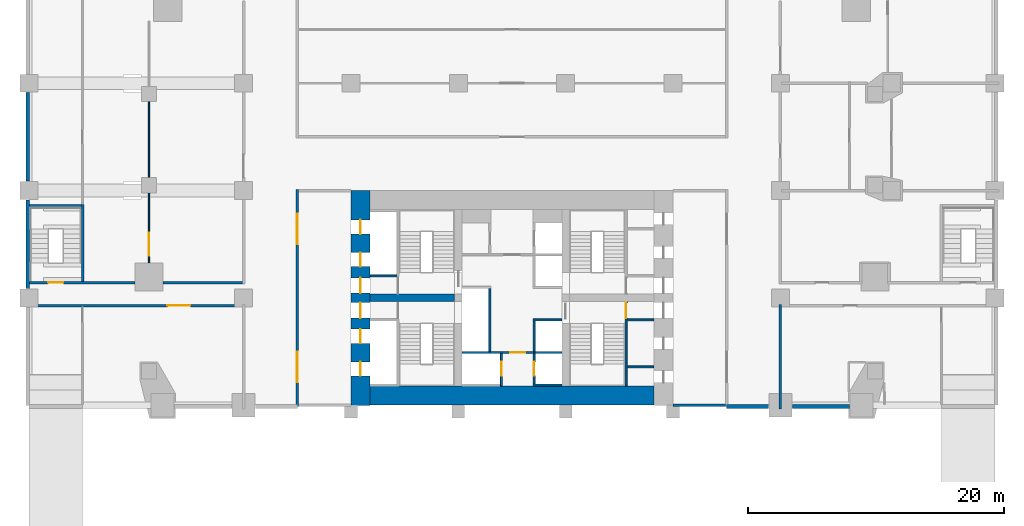
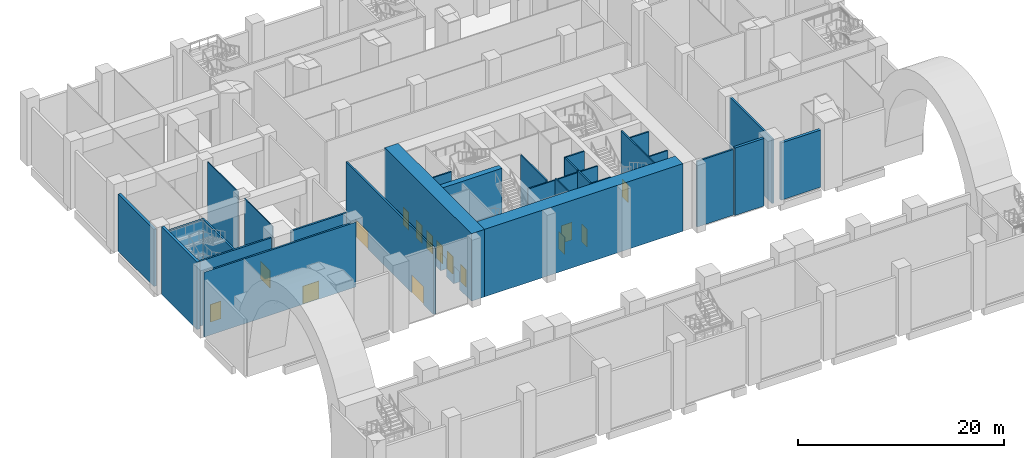
# One storey, part 6 of 19: 28 walls, 15 doors, 15 openings.
"""IFC4 building model written with IfcOpenShell, lengths in metres."""

from ifc_helpers import new_model, si_unit, direction, frame, frame_2d, origin, place, context, subcontext, project, spatial, rectangle, extrude, material, layer, layer_set, type_object, element, fill, save


model = new_model("IFC4")

# Units and contexts
model_context = context("Model", 3, precision=1e-05, world=origin(), true_north=direction((0.0, 1.0)))
body_context = subcontext(model_context, "Body", "Model", "MODEL_VIEW")
ifc_project = project(units=[si_unit("LENGTHUNIT", "METRE"), si_unit("AREAUNIT", "SQUARE_METRE"), si_unit("VOLUMEUNIT", "CUBIC_METRE"), si_unit("PLANEANGLEUNIT", "RADIAN"), si_unit("MASSUNIT", "GRAM", prefix="KILO")], contexts=[model_context])

# Site, building, storey
site_placement = place(None, origin())
site = spatial("IfcSite", under=ifc_project, at=site_placement, CompositionType="ELEMENT")
building_placement = place(site_placement, origin())
building = spatial("IfcBuilding", under=site, at=building_placement, Name="Marenta Gate Hotel Tower", CompositionType="ELEMENT")
storey_placement = place(building_placement, frame((0.0, 0.0, 13.0)))
storey = spatial("IfcBuildingStorey", under=building, at=storey_placement, Name="L02", CompositionType="ELEMENT", Elevation=13.0)

# Walls
ifc_material_1 = material(Name="Concrete C40 board-marked", Category="concrete")
ifc_layer_1 = layer(ifc_material_1, 0.300048828125)
ifc_layer_set_1 = layer_set([ifc_layer_1], Name="Concrete C40 board-marked")
wall_type_1 = type_object("IfcWallType", Name="Board-marked concrete wall 300 mm", PredefinedType="NOTDEFINED", material=ifc_layer_set_1)
wall_1_placement = place(storey_placement, frame((16.800048828125, -0.090087890625, 0.0), z_axis=(0.0, 0.0, 1.0), x_axis=(1.0, 0.0, 0.0)))
element("IfcWall", 1, at=wall_1_placement, inside=storey, type_object=wall_type_1, Name="L02-CLD-NB-S100", PredefinedType="NOTDEFINED", context=body_context, shape_type="SweptSolid", body=[
    extrude(rectangle(XDim=3.260009765625, YDim=0.300048828125, at=frame_2d((1.6298828125, 0.0))), origin(), (0.0, 0.0, 1.0), 8.0),
])
wall_2_placement = place(storey_placement, frame((21.93994140625, -0.090087890625, 0.0), z_axis=(0.0, 0.0, 1.0), x_axis=(1.0, 0.0, 0.0)))
element("IfcWall", 2, at=wall_2_placement, inside=storey, type_object=wall_type_1, Name="L02-CLD-NB-S101", PredefinedType="NOTDEFINED", context=body_context, shape_type="SweptSolid", body=[
    extrude(rectangle(XDim=4.483154296875, YDim=0.300048828125, at=frame_2d((2.24169921875, 0.0))), origin(), (0.0, 0.0, 1.0), 6.780029296875),
])
wall_3_placement = place(storey_placement, frame((-37.889892578125, 24.4599609375, 0.0), z_axis=(0.0, 0.0, 1.0), x_axis=(0.0, -1.0, 0.0)))
element("IfcWall", 3, at=wall_3_placement, inside=storey, type_object=wall_type_1, Name="L02-CLD-NB-W002", PredefinedType="NOTDEFINED", context=body_context, shape_type="SweptSolid", body=[
    extrude(rectangle(XDim=6.919921875, YDim=0.300048828125, at=frame_2d((3.4599609375, 0.0))), origin(), (0.0, 0.0, 1.0), 6.780029296875),
])
wall_4_placement = place(storey_placement, frame((-37.889892578125, 16.06005859375, 0.0), z_axis=(0.0, 0.0, 1.0), x_axis=(0.0, -1.0, 0.0)))
element("IfcWall", 4, at=wall_4_placement, inside=storey, type_object=wall_type_1, Name="L02-CLD-NB-W003", PredefinedType="NOTDEFINED", context=body_context, shape_type="SweptSolid", body=[
    extrude(rectangle(XDim=6.920166015625, YDim=0.300048828125, at=frame_2d((3.4599609375, 0.0))), origin(), (0.0, 0.0, 1.0), 8.0),
])

# Wall, openings, doors
ifc_material_2 = material(Name="Concrete blockwork", Category="masonry")
ifc_layer_2 = layer(ifc_material_2, 0.199951171875)
ifc_layer_set_2 = layer_set([ifc_layer_2], Name="Concrete blockwork")
wall_type_2 = type_object("IfcWallType", Name="Core boundary wall 200 REI 180", PredefinedType="PARTITIONING", material=ifc_layer_set_2)
wall_5_placement = place(storey_placement, frame((-16.800048828125, -0.10009765625, 0.0), z_axis=(0.0, 0.0, 1.0), x_axis=(0.0, 1.0, 0.0)))
wall_5 = element("IfcWall", 5, at=wall_5_placement, inside=storey, type_object=wall_type_2, Name="L02-CP-BW-W", PredefinedType="PARTITIONING", context=body_context, shape_type="SweptSolid", body=[
    extrude(rectangle(XDim=17.0, YDim=0.199951171875, at=frame_2d((8.5, 0.0))), origin(), (0.0, 0.0, 1.0), 7.780029296875),
])
opening_1_placement = place(wall_5_placement, frame((1.89990234375, 0.0, 0.0)))
opening_1 = element("IfcOpeningElement", 6, at=opening_1_placement, cuts=wall_5, Name="Opening ED-Wa-A", PredefinedType="OPENING", context=body_context, shape_type="SweptSolid", body=[
    extrude(rectangle(XDim=2.39990234375, YDim=2.10009765625, at=frame_2d((1.199951171875, 1.050048828125))), frame((0.0, 0.10009765625, 0.0), z_axis=(0.0, -1.0, 0.0), x_axis=(1.0, 0.0, 0.0)), (0.0, 0.0, 1.0), 0.199951171875),
])
opening_2_placement = place(wall_5_placement, frame((12.699951171875, 0.0, 0.0)))
opening_2 = element("IfcOpeningElement", 7, at=opening_2_placement, cuts=wall_5, Name="Opening ED-Wb-A", PredefinedType="OPENING", context=body_context, shape_type="SweptSolid", body=[
    extrude(rectangle(XDim=2.39990234375, YDim=2.10009765625, at=frame_2d((1.199951171875, 1.050048828125))), frame((0.0, 0.10009765625, 0.0), z_axis=(0.0, -1.0, 0.0), x_axis=(1.0, 0.0, 0.0)), (0.0, 0.0, 1.0), 0.199951171875),
])
ifc_material_3 = material(Name="Steel", Category="steel")
door_type_1 = type_object("IfcDoorType", Name="Core lobby entrance door 2400x2100 EI 60", OperationType="DOUBLE_DOOR_SINGLE_SWING", PredefinedType="DOOR", material=ifc_material_3)
door_1_placement = place(opening_1_placement, origin())
door_1 = element("IfcDoor", 8, at=door_1_placement, inside=storey, type_object=door_type_1, Name="ED-Wa-A", OperationType="DOUBLE_DOOR_SINGLE_SWING", OverallHeight=2.10009765625, OverallWidth=2.39990234375, PredefinedType="DOOR", context=body_context, shape_type="SweptSolid", body=[
    extrude(rectangle(XDim=2.39990234375, YDim=2.10009765625, at=frame_2d((1.199951171875, 1.050048828125))), frame((0.0, 0.02490234375, 0.0), z_axis=(0.0, -1.0, 0.0), x_axis=(1.0, 0.0, 0.0)), (0.0, 0.0, 1.0), 0.050048828125),
])
fill(opening_1, door_1)
door_2_placement = place(opening_2_placement, origin())
door_2 = element("IfcDoor", 9, at=door_2_placement, inside=storey, type_object=door_type_1, Name="ED-Wb-A", OperationType="DOUBLE_DOOR_SINGLE_SWING", OverallHeight=2.10009765625, OverallWidth=2.39990234375, PredefinedType="DOOR", context=body_context, shape_type="SweptSolid", body=[
    extrude(rectangle(XDim=2.39990234375, YDim=2.10009765625, at=frame_2d((1.199951171875, 1.050048828125))), frame((0.0, 0.02490234375, 0.0), z_axis=(0.0, -1.0, 0.0), x_axis=(1.0, 0.0, 0.0)), (0.0, 0.0, 1.0), 0.050048828125),
])
fill(opening_2, door_2)

# Wall
wall_6_placement = place(storey_placement, frame((12.60009765625, 0.0, 0.0), z_axis=(0.0, 0.0, 1.0), x_axis=(1.0, 0.0, 0.0)))
element("IfcWall", 10, at=wall_6_placement, inside=storey, type_object=wall_type_2, Name="L02-CP-EW-ES", PredefinedType="PARTITIONING", context=body_context, shape_type="SweptSolid", body=[
    extrude(rectangle(XDim=4.099853515625, YDim=0.199951171875, at=frame_2d((2.0498046875, 0.0))), origin(), (0.0, 0.0, 1.0), 7.780029296875),
])

# Wall, opening, door
ifc_material_4 = material(Name="Concrete blockwork", Category="masonry")
ifc_layer_3 = layer(ifc_material_4, 0.14990234375)
ifc_layer_set_3 = layer_set([ifc_layer_3], Name="Concrete blockwork")
wall_type_3 = type_object("IfcWallType", Name="Core lobby partition 150 REI 180", PredefinedType="PARTITIONING", material=ifc_layer_set_3)
wall_7_placement = place(storey_placement, frame((-3.89990234375, 4.125, 0.0), z_axis=(0.0, 0.0, 1.0), x_axis=(1.0, 0.0, 0.0)))
wall_7 = element("IfcWall", 11, at=wall_7_placement, inside=storey, type_object=wall_type_3, Name="L02-CP-CW-S", PredefinedType="PARTITIONING", context=body_context, shape_type="SweptSolid", body=[
    extrude(rectangle(XDim=7.7998046875, YDim=0.14990234375, at=frame_2d((3.89990234375, 0.0))), origin(), (0.0, 0.0, 1.0), 7.780029296875),
])
opening_3_placement = place(wall_7_placement, frame((3.75, 0.0, 0.0)))
opening_3 = element("IfcOpeningElement", 12, at=opening_3_placement, cuts=wall_7, Name="Opening FD-FFS", PredefinedType="OPENING", context=body_context, shape_type="SweptSolid", body=[
    extrude(rectangle(XDim=1.199951171875, YDim=2.10009765625, at=frame_2d((0.60009765625, 1.050048828125))), frame((0.0, 0.074951171875, 0.0), z_axis=(0.0, -1.0, 0.0), x_axis=(1.0, 0.0, 0.0)), (0.0, 0.0, 1.0), 0.14990234375),
])
ifc_material_5 = material(Name="Steel", Category="steel")
door_type_2 = type_object("IfcDoorType", Name="Core lobby door 1200x2100 FD60", OperationType="SINGLE_SWING_LEFT", PredefinedType="DOOR", material=ifc_material_5)
door_3_placement = place(opening_3_placement, origin())
door_3 = element("IfcDoor", 13, at=door_3_placement, inside=storey, type_object=door_type_2, Name="FD-FFS", OperationType="SINGLE_SWING_LEFT", OverallHeight=2.10009765625, OverallWidth=1.199951171875, PredefinedType="DOOR", context=body_context, shape_type="SweptSolid", body=[
    extrude(rectangle(XDim=1.199951171875, YDim=2.10009765625, at=frame_2d((0.60009765625, 1.050048828125))), frame((0.0, 0.02490234375, 0.0), z_axis=(0.0, -1.0, 0.0), x_axis=(1.0, 0.0, 0.0)), (0.0, 0.0, 1.0), 0.050048828125),
])
fill(opening_3, door_3)

# Walls
ifc_material_6 = material(Name="Concrete blockwork", Category="masonry")
ifc_layer_4 = layer(ifc_material_6, 0.14990234375)
ifc_layer_set_4 = layer_set([ifc_layer_4], Name="Concrete blockwork")
wall_type_4 = type_object("IfcWallType", Name="Core room partition 150 REI 180", PredefinedType="PARTITIONING", material=ifc_layer_set_4)
for number, where, z_axis, x_axis, name in (
    (14, (9.0, 6.675048828125, 0.0), (0.0, 0.0, 1.0), (1.0, 0.0, 0.0), "L02-CP-SW-ES-2"),
    (15, (9.0, 3.0, 0.0), (0.0, 0.0, 1.0), (1.0, 0.0, 0.0), "L02-CP-RW-ES-1"),
):
    element("IfcWall", number, at=place(storey_placement, frame(where, z_axis=z_axis, x_axis=x_axis)), inside=storey, type_object=wall_type_4, Name=name, PredefinedType="PARTITIONING", context=body_context, shape_type="SweptSolid", body=[
        extrude(rectangle(XDim=2.10009765625, YDim=0.14990234375, at=frame_2d((1.050048828125, 0.0))), origin(), (0.0, 0.0, 1.0), 7.780029296875),
    ])
ifc_material_7 = material(Name="Concrete C40", Category="concrete")
ifc_layer_5 = layer(ifc_material_7, 0.14990234375)
ifc_layer_set_5 = layer_set([ifc_layer_5], Name="Concrete C40")
wall_type_5 = type_object("IfcWallType", Name="Core shaft wall 150 REI 180", PredefinedType="SHEAR", material=ifc_layer_set_5)
wall_8_placement = place(storey_placement, frame((-11.10009765625, 10.125, 0.0), z_axis=(0.0, 0.0, 1.0), x_axis=(1.0, 0.0, 0.0)))
element("IfcWall", 16, at=wall_8_placement, inside=storey, type_object=wall_type_5, Name="L02-SHF-SW-WN-2", PredefinedType="SHEAR", context=body_context, shape_type="SweptSolid", body=[
    extrude(rectangle(XDim=2.10009765625, YDim=0.14990234375, at=frame_2d((1.050048828125, 0.0))), origin(), (0.0, 0.0, 1.0), 8.0),
])

# Wall, opening, door
wall_9_placement = place(storey_placement, frame((-0.824951171875, 1.5, 0.0), z_axis=(0.0, 0.0, 1.0), x_axis=(0.0, 1.0, 0.0)))
wall_9 = element("IfcWall", 17, at=wall_9_placement, inside=storey, type_object=wall_type_5, Name="L02-SHF-CW-W-ff", PredefinedType="SHEAR", context=body_context, shape_type="SweptSolid", body=[
    extrude(rectangle(XDim=2.550048828125, YDim=0.14990234375, at=frame_2d((1.27490234375, 0.0))), origin(), (0.0, 0.0, 1.0), 8.0),
])
opening_4_placement = place(wall_9_placement, frame((0.800048828125, 0.0, 0.0)))
opening_4 = element("IfcOpeningElement", 18, at=opening_4_placement, cuts=wall_9, Name="Opening LD-FF1", PredefinedType="OPENING", context=body_context, shape_type="SweptSolid", body=[
    extrude(rectangle(XDim=1.10009765625, YDim=2.10009765625, at=frame_2d((0.550048828125, 1.050048828125))), frame((0.0, 0.074951171875, 0.0), z_axis=(0.0, -1.0, 0.0), x_axis=(1.0, 0.0, 0.0)), (0.0, 0.0, 1.0), 0.14990234375),
])
ifc_material_8 = material(Name="Steel", Category="steel")
door_type_3 = type_object("IfcDoorType", Name="Core lift landing door 1100x2100 E 60", OperationType="SLIDING_TO_LEFT", PredefinedType="DOOR", material=ifc_material_8)
door_4_placement = place(opening_4_placement, origin())
door_4 = element("IfcDoor", 19, at=door_4_placement, inside=storey, type_object=door_type_3, Name="LD-FF1", OperationType="SLIDING_TO_LEFT", OverallHeight=2.10009765625, OverallWidth=1.10009765625, PredefinedType="DOOR", context=body_context, shape_type="SweptSolid", body=[
    extrude(rectangle(XDim=1.10009765625, YDim=2.10009765625, at=frame_2d((0.550048828125, 1.050048828125))), frame((0.0, 0.02490234375, 0.0), z_axis=(0.0, -1.0, 0.0), x_axis=(1.0, 0.0, 0.0)), (0.0, 0.0, 1.0), 0.050048828125),
])
fill(opening_4, door_4)

# Wall
wall_10_placement = place(storey_placement, frame((-1.72509765625, 4.199951171875, 0.0), z_axis=(0.0, 0.0, 1.0), x_axis=(0.0, 1.0, 0.0)))
element("IfcWall", 20, at=wall_10_placement, inside=storey, type_object=wall_type_5, Name="L02-SHF-CW-W-front", PredefinedType="SHEAR", context=body_context, shape_type="SweptSolid", body=[
    extrude(rectangle(XDim=4.949951171875, YDim=0.14990234375, at=frame_2d((2.47509765625, 0.0))), origin(), (0.0, 0.0, 1.0), 8.0),
])

# Wall, opening, door
wall_11_placement = place(storey_placement, frame((1.72509765625, 1.64990234375, 0.0), z_axis=(0.0, 0.0, 1.0), x_axis=(0.0, 1.0, 0.0)))
wall_11 = element("IfcWall", 21, at=wall_11_placement, inside=storey, type_object=wall_type_5, Name="L02-SHF-CE-S-ls", PredefinedType="SHEAR", context=body_context, shape_type="SweptSolid", body=[
    extrude(rectangle(XDim=2.400146484375, YDim=0.14990234375, at=frame_2d((1.2001953125, 0.0))), origin(), (0.0, 0.0, 1.0), 8.0),
])
opening_5_placement = place(wall_11_placement, frame((0.64990234375, 0.0, 0.0)))
opening_5 = element("IfcOpeningElement", 22, at=opening_5_placement, cuts=wall_11, Name="Opening LD-SV1", PredefinedType="OPENING", context=body_context, shape_type="SweptSolid", body=[
    extrude(rectangle(XDim=1.10009765625, YDim=2.10009765625, at=frame_2d((0.550048828125, 1.050048828125))), frame((0.0, 0.074951171875, 0.0), z_axis=(0.0, -1.0, 0.0), x_axis=(1.0, 0.0, 0.0)), (0.0, 0.0, 1.0), 0.14990234375),
])
door_5_placement = place(opening_5_placement, origin())
door_5 = element("IfcDoor", 23, at=door_5_placement, inside=storey, type_object=door_type_3, Name="LD-SV1", OperationType="SLIDING_TO_LEFT", OverallHeight=2.10009765625, OverallWidth=1.10009765625, PredefinedType="DOOR", context=body_context, shape_type="SweptSolid", body=[
    extrude(rectangle(XDim=1.10009765625, YDim=2.10009765625, at=frame_2d((0.550048828125, 1.050048828125))), frame((0.0, 0.02490234375, 0.0), z_axis=(0.0, -1.0, 0.0), x_axis=(1.0, 0.0, 0.0)), (0.0, 0.0, 1.0), 0.050048828125),
])
fill(opening_5, door_5)

# Walls
for number, where, z_axis, x_axis, name in (
    (24, (1.64990234375, 1.574951171875, 0.0), (0.0, 0.0, 1.0), (1.0, 0.0, 0.0), "L02-SHF-CE-S-bot"),
    (25, (1.64990234375, 6.675048828125, 0.0), (0.0, 0.0, 1.0), (1.0, 0.0, 0.0), "L02-SHF-CE-sep1"),
):
    element("IfcWall", number, at=place(storey_placement, frame(where, z_axis=z_axis, x_axis=x_axis)), inside=storey, type_object=wall_type_5, Name=name, PredefinedType="SHEAR", context=body_context, shape_type="SweptSolid", body=[
        extrude(rectangle(XDim=2.25, YDim=0.14990234375, at=frame_2d((1.125, 0.0))), origin(), (0.0, 0.0, 1.0), 8.0),
    ])
wall_12_placement = place(storey_placement, frame((1.72509765625, 4.199951171875, 0.0), z_axis=(0.0, 0.0, 1.0), x_axis=(0.0, 1.0, 0.0)))
element("IfcWall", 26, at=wall_12_placement, inside=storey, type_object=wall_type_5, Name="L02-SHF-CE-front-1", PredefinedType="SHEAR", context=body_context, shape_type="SweptSolid", body=[
    extrude(rectangle(XDim=2.400146484375, YDim=0.14990234375, at=frame_2d((1.2001953125, 0.0))), origin(), (0.0, 0.0, 1.0), 8.0),
])

# Wall, opening, door
ifc_material_9 = material(Name="Concrete C40", Category="concrete")
ifc_layer_6 = layer(ifc_material_9, 0.14990234375)
ifc_layer_set_6 = layer_set([ifc_layer_6], Name="Concrete C40")
wall_type_6 = type_object("IfcWallType", Name="Core stair enclosure wall 150 REI 180", PredefinedType="SHEAR", material=ifc_layer_set_6)
wall_13_placement = place(storey_placement, frame((8.925048828125, 1.5, 0.0), z_axis=(0.0, 0.0, 1.0), x_axis=(0.0, 1.0, 0.0)))
wall_13 = element("IfcWall", 27, at=wall_13_placement, inside=storey, type_object=wall_type_6, Name="L02-SHF-SW-ES-3", PredefinedType="SHEAR", context=body_context, shape_type="SweptSolid", body=[
    extrude(rectangle(XDim=6.60009765625, YDim=0.14990234375, at=frame_2d((3.300048828125, 0.0))), origin(), (0.0, 0.0, 1.0), 7.780029296875),
])
opening_6_placement = place(wall_13_placement, frame((5.324951171875, 0.0, 0.0)))
opening_6 = element("IfcOpeningElement", 28, at=opening_6_placement, cuts=wall_13, Name="Opening SD-ES", PredefinedType="OPENING", context=body_context, shape_type="SweptSolid", body=[
    extrude(rectangle(XDim=1.199951171875, YDim=2.10009765625, at=frame_2d((0.60009765625, 1.050048828125))), frame((0.0, 0.074951171875, 0.0), z_axis=(0.0, -1.0, 0.0), x_axis=(1.0, 0.0, 0.0)), (0.0, 0.0, 1.0), 0.14990234375),
])
ifc_material_10 = material(Name="Steel", Category="steel")
door_type_4 = type_object("IfcDoorType", Name="Core stair door 1200x2100 FD60", OperationType="SINGLE_SWING_LEFT", PredefinedType="DOOR", material=ifc_material_10)
door_6_placement = place(opening_6_placement, origin())
door_6 = element("IfcDoor", 29, at=door_6_placement, inside=storey, type_object=door_type_4, Name="SD-ES", OperationType="SINGLE_SWING_LEFT", OverallHeight=2.10009765625, OverallWidth=1.199951171875, PredefinedType="DOOR", context=body_context, shape_type="SweptSolid", body=[
    extrude(rectangle(XDim=1.199951171875, YDim=2.10009765625, at=frame_2d((0.60009765625, 1.050048828125))), frame((0.0, 0.02490234375, 0.0), z_axis=(0.0, -1.0, 0.0), x_axis=(1.0, 0.0, 0.0)), (0.0, 0.0, 1.0), 0.050048828125),
])
fill(opening_6, door_6)

# Wall, openings, doors
ifc_material_11 = material(Name="Concrete C80", Category="concrete")
ifc_layer_7 = layer(ifc_material_11, 1.5)
ifc_layer_set_7 = layer_set([ifc_layer_7], Name="Concrete C80")
wall_type_7 = type_object("IfcWallType", Name="Core wall 1500 C80", PredefinedType="SHEAR", material=ifc_layer_set_7)
wall_14_placement = place(storey_placement, frame((-11.85009765625, 0.0, 0.0), z_axis=(0.0, 0.0, 1.0), x_axis=(0.0, 1.0, 0.0)))
wall_14 = element("IfcWall", 30, at=wall_14_placement, inside=storey, type_object=wall_type_7, Name="L02-CORE-W", PredefinedType="SHEAR", context=body_context, shape_type="SweptSolid", body=[
    extrude(rectangle(XDim=16.800048828125, YDim=1.5, at=frame_2d((8.39990234375, 0.0))), origin(), (0.0, 0.0, 1.0), 8.0),
])
opening_7_placement = place(wall_14_placement, frame((2.300048828125, 0.0, 0.0)))
opening_7 = element("IfcOpeningElement", 31, at=opening_7_placement, cuts=wall_14, Name="Opening LD-LR1", PredefinedType="OPENING", context=body_context, shape_type="SweptSolid", body=[
    extrude(rectangle(XDim=1.10009765625, YDim=2.10009765625, at=frame_2d((0.550048828125, 1.050048828125))), frame((0.0, 0.75, 0.0), z_axis=(0.0, -1.0, 0.0), x_axis=(1.0, 0.0, 0.0)), (0.0, 0.0, 1.0), 1.5),
])
opening_8_placement = place(wall_14_placement, frame((4.85009765625, 0.0, 0.0)))
opening_8 = element("IfcOpeningElement", 32, at=opening_8_placement, cuts=wall_14, Name="Opening LD-LR2", PredefinedType="OPENING", context=body_context, shape_type="SweptSolid", body=[
    extrude(rectangle(XDim=1.10009765625, YDim=2.10009765625, at=frame_2d((0.550048828125, 1.050048828125))), frame((0.0, 0.75, 0.0), z_axis=(0.0, -1.0, 0.0), x_axis=(1.0, 0.0, 0.0)), (0.0, 0.0, 1.0), 1.5),
])
opening_9_placement = place(wall_14_placement, frame((6.824951171875, 0.0, 0.0)))
opening_9 = element("IfcOpeningElement", 33, at=opening_9_placement, cuts=wall_14, Name="Opening PD-WS", PredefinedType="OPENING", context=body_context, shape_type="SweptSolid", body=[
    extrude(rectangle(XDim=1.199951171875, YDim=2.10009765625, at=frame_2d((0.60009765625, 1.050048828125))), frame((0.0, 0.75, 0.0), z_axis=(0.0, -1.0, 0.0), x_axis=(1.0, 0.0, 0.0)), (0.0, 0.0, 1.0), 1.5),
])
opening_10_placement = place(wall_14_placement, frame((13.39990234375, 0.0, 0.0)))
opening_10 = element("IfcOpeningElement", 34, at=opening_10_placement, cuts=wall_14, Name="Opening LD-LR4", PredefinedType="OPENING", context=body_context, shape_type="SweptSolid", body=[
    extrude(rectangle(XDim=1.10009765625, YDim=2.10009765625, at=frame_2d((0.550048828125, 1.050048828125))), frame((0.0, 0.75, 0.0), z_axis=(0.0, -1.0, 0.0), x_axis=(1.0, 0.0, 0.0)), (0.0, 0.0, 1.0), 1.5),
])
opening_11_placement = place(wall_14_placement, frame((10.85009765625, 0.0, 0.0)))
opening_11 = element("IfcOpeningElement", 35, at=opening_11_placement, cuts=wall_14, Name="Opening LD-LR3", PredefinedType="OPENING", context=body_context, shape_type="SweptSolid", body=[
    extrude(rectangle(XDim=1.10009765625, YDim=2.10009765625, at=frame_2d((0.550048828125, 1.050048828125))), frame((0.0, 0.75, 0.0), z_axis=(0.0, -1.0, 0.0), x_axis=(1.0, 0.0, 0.0)), (0.0, 0.0, 1.0), 1.5),
])
opening_12_placement = place(wall_14_placement, frame((8.77490234375, 0.0, 0.0)))
opening_12 = element("IfcOpeningElement", 36, at=opening_12_placement, cuts=wall_14, Name="Opening PD-WN", PredefinedType="OPENING", context=body_context, shape_type="SweptSolid", body=[
    extrude(rectangle(XDim=1.199951171875, YDim=2.10009765625, at=frame_2d((0.60009765625, 1.050048828125))), frame((0.0, 0.75, 0.0), z_axis=(0.0, -1.0, 0.0), x_axis=(1.0, 0.0, 0.0)), (0.0, 0.0, 1.0), 1.5),
])
door_7_placement = place(opening_7_placement, origin())
door_7 = element("IfcDoor", 37, at=door_7_placement, inside=storey, type_object=door_type_3, Name="LD-LR1", OperationType="SLIDING_TO_LEFT", OverallHeight=2.10009765625, OverallWidth=1.10009765625, PredefinedType="DOOR", context=body_context, shape_type="SweptSolid", body=[
    extrude(rectangle(XDim=1.10009765625, YDim=2.10009765625, at=frame_2d((0.550048828125, 1.050048828125))), frame((0.0, 0.02490234375, 0.0), z_axis=(0.0, -1.0, 0.0), x_axis=(1.0, 0.0, 0.0)), (0.0, 0.0, 1.0), 0.050048828125),
])
fill(opening_7, door_7)
door_8_placement = place(opening_8_placement, origin())
door_8 = element("IfcDoor", 38, at=door_8_placement, inside=storey, type_object=door_type_3, Name="LD-LR2", OperationType="SLIDING_TO_LEFT", OverallHeight=2.10009765625, OverallWidth=1.10009765625, PredefinedType="DOOR", context=body_context, shape_type="SweptSolid", body=[
    extrude(rectangle(XDim=1.10009765625, YDim=2.10009765625, at=frame_2d((0.550048828125, 1.050048828125))), frame((0.0, 0.02490234375, 0.0), z_axis=(0.0, -1.0, 0.0), x_axis=(1.0, 0.0, 0.0)), (0.0, 0.0, 1.0), 0.050048828125),
])
fill(opening_8, door_8)
door_9_placement = place(opening_10_placement, origin())
door_9 = element("IfcDoor", 39, at=door_9_placement, inside=storey, type_object=door_type_3, Name="LD-LR4", OperationType="SLIDING_TO_LEFT", OverallHeight=2.10009765625, OverallWidth=1.10009765625, PredefinedType="DOOR", context=body_context, shape_type="SweptSolid", body=[
    extrude(rectangle(XDim=1.10009765625, YDim=2.10009765625, at=frame_2d((0.550048828125, 1.050048828125))), frame((0.0, 0.02490234375, 0.0), z_axis=(0.0, -1.0, 0.0), x_axis=(1.0, 0.0, 0.0)), (0.0, 0.0, 1.0), 0.050048828125),
])
fill(opening_10, door_9)
door_10_placement = place(opening_11_placement, origin())
door_10 = element("IfcDoor", 40, at=door_10_placement, inside=storey, type_object=door_type_3, Name="LD-LR3", OperationType="SLIDING_TO_LEFT", OverallHeight=2.10009765625, OverallWidth=1.10009765625, PredefinedType="DOOR", context=body_context, shape_type="SweptSolid", body=[
    extrude(rectangle(XDim=1.10009765625, YDim=2.10009765625, at=frame_2d((0.550048828125, 1.050048828125))), frame((0.0, 0.02490234375, 0.0), z_axis=(0.0, -1.0, 0.0), x_axis=(1.0, 0.0, 0.0)), (0.0, 0.0, 1.0), 0.050048828125),
])
fill(opening_11, door_10)
door_11_placement = place(opening_9_placement, origin())
door_11 = element("IfcDoor", 41, at=door_11_placement, inside=storey, type_object=door_type_2, Name="PD-WS", OperationType="SINGLE_SWING_LEFT", OverallHeight=2.10009765625, OverallWidth=1.199951171875, PredefinedType="DOOR", context=body_context, shape_type="SweptSolid", body=[
    extrude(rectangle(XDim=1.199951171875, YDim=2.10009765625, at=frame_2d((0.60009765625, 1.050048828125))), frame((0.0, 0.02490234375, 0.0), z_axis=(0.0, -1.0, 0.0), x_axis=(1.0, 0.0, 0.0)), (0.0, 0.0, 1.0), 0.050048828125),
])
fill(opening_9, door_11)
door_12_placement = place(opening_12_placement, origin())
door_12 = element("IfcDoor", 42, at=door_12_placement, inside=storey, type_object=door_type_2, Name="PD-WN", OperationType="SINGLE_SWING_LEFT", OverallHeight=2.10009765625, OverallWidth=1.199951171875, PredefinedType="DOOR", context=body_context, shape_type="SweptSolid", body=[
    extrude(rectangle(XDim=1.199951171875, YDim=2.10009765625, at=frame_2d((0.60009765625, 1.050048828125))), frame((0.0, 0.02490234375, 0.0), z_axis=(0.0, -1.0, 0.0), x_axis=(1.0, 0.0, 0.0)), (0.0, 0.0, 1.0), 0.050048828125),
])
fill(opening_12, door_12)

# Walls
wall_15_placement = place(storey_placement, frame((-11.10009765625, 0.75, 0.0), z_axis=(0.0, 0.0, 1.0), x_axis=(1.0, 0.0, 0.0)))
element("IfcWall", 43, at=wall_15_placement, inside=storey, type_object=wall_type_7, Name="L02-CORE-S", PredefinedType="SHEAR", context=body_context, shape_type="SweptSolid", body=[
    extrude(rectangle(XDim=22.2001953125, YDim=1.5, at=frame_2d((11.10009765625, 0.0))), origin(), (0.0, 0.0, 1.0), 8.0),
])
ifc_material_12 = material(Name="Concrete C80", Category="concrete")
ifc_layer_8 = layer(ifc_material_12, 0.60009765625)
ifc_layer_set_8 = layer_set([ifc_layer_8], Name="Concrete C80")
wall_type_8 = type_object("IfcWallType", Name="Core web 600 C80", PredefinedType="SHEAR", material=ifc_layer_set_8)
wall_16_placement = place(storey_placement, frame((-11.10009765625, 8.39990234375, 0.0), z_axis=(0.0, 0.0, 1.0), x_axis=(1.0, 0.0, 0.0)))
element("IfcWall", 44, at=wall_16_placement, inside=storey, type_object=wall_type_8, Name="L02-CORE-W3", PredefinedType="SHEAR", context=body_context, shape_type="SweptSolid", body=[
    extrude(rectangle(XDim=6.60009765625, YDim=0.60009765625, at=frame_2d((3.300048828125, 0.0))), origin(), (0.0, 0.0, 1.0), 8.0),
])
ifc_material_13 = material(Name="Concrete blockwork", Category="masonry")
ifc_layer_9 = layer(ifc_material_13, 0.199951171875)
ifc_layer_set_9 = layer_set([ifc_layer_9], Name="Concrete blockwork")
wall_type_9 = type_object("IfcWallType", Name="Room corridor wall 200 EI 120", PredefinedType="PARTITIONING", material=ifc_layer_set_9)
wall_17_placement = place(storey_placement, frame((21.0, -0.300048828125, 0.0), z_axis=(0.0, 0.0, 1.0), x_axis=(0.0, 1.0, 0.0)))
element("IfcWall", 45, at=wall_17_placement, inside=storey, type_object=wall_type_9, Name="L02-PTN-W017", PredefinedType="PARTITIONING", context=body_context, shape_type="SweptSolid", body=[
    extrude(rectangle(XDim=8.199951171875, YDim=0.199951171875, at=frame_2d((4.10009765625, 0.0))), origin(), (0.0, 0.0, 1.0), 7.679931640625),
])

# Wall, opening, door
ifc_material_14 = material(Name="Concrete blockwork", Category="masonry")
ifc_layer_10 = layer(ifc_material_14, 0.199951171875)
ifc_layer_set_10 = layer_set([ifc_layer_10], Name="Concrete blockwork")
wall_type_10 = type_object("IfcWallType", Name="Room corridor wall 200 REI 180", PredefinedType="PARTITIONING", material=ifc_layer_set_10)
wall_18_placement = place(storey_placement, frame((-38.10009765625, 7.800048828125, 0.0), z_axis=(0.0, 0.0, 1.0), x_axis=(1.0, 0.0, 0.0)))
wall_18 = element("IfcWall", 46, at=wall_18_placement, inside=storey, type_object=wall_type_10, Name="L02-PTN-W033", PredefinedType="PARTITIONING", context=body_context, shape_type="SweptSolid", body=[
    extrude(rectangle(XDim=17.0, YDim=0.199951171875, at=frame_2d((8.5, 0.0))), origin(), (0.0, 0.0, 1.0), 7.679931640625),
])
opening_13_placement = place(wall_18_placement, frame((11.125, 0.0, 0.0)))
opening_13 = element("IfcOpeningElement", 47, at=opening_13_placement, cuts=wall_18, Name="Opening S03-03", PredefinedType="OPENING", context=body_context, shape_type="SweptSolid", body=[
    extrude(rectangle(XDim=1.800048828125, YDim=2.10009765625, at=frame_2d((0.89990234375, 1.050048828125))), frame((0.0, 0.10009765625, 0.0), z_axis=(0.0, -1.0, 0.0), x_axis=(1.0, 0.0, 0.0)), (0.0, 0.0, 1.0), 0.199951171875),
])
ifc_material_15 = material(Name="Timber door leaf", Category="wood")
door_type_5 = type_object("IfcDoorType", Name="Room amenity door 1800x2100 EI 60", OperationType="DOUBLE_DOOR_SINGLE_SWING", PredefinedType="DOOR", material=ifc_material_15)
door_13_placement = place(opening_13_placement, origin())
door_13 = element("IfcDoor", 48, at=door_13_placement, inside=storey, type_object=door_type_5, Name="L02-PD-D003", OperationType="DOUBLE_DOOR_SINGLE_SWING", OverallHeight=2.10009765625, OverallWidth=1.800048828125, PredefinedType="DOOR", context=body_context, shape_type="SweptSolid", body=[
    extrude(rectangle(XDim=1.800048828125, YDim=2.10009765625, at=frame_2d((0.89990234375, 1.050048828125))), frame((0.0, 0.02490234375, 0.0), z_axis=(0.0, -1.0, 0.0), x_axis=(1.0, 0.0, 0.0)), (0.0, 0.0, 1.0), 0.050048828125),
])
fill(opening_13, door_13)

wall_19_placement = place(storey_placement, frame((-37.739990234375, 9.60009765625, 0.0), z_axis=(0.0, 0.0, 1.0), x_axis=(1.0, 0.0, 0.0)))
wall_19 = element("IfcWall", 49, at=wall_19_placement, inside=storey, type_object=wall_type_10, Name="L02-PTN-W035", PredefinedType="PARTITIONING", context=body_context, shape_type="SweptSolid", body=[
    extrude(rectangle(XDim=8.239990234375, YDim=0.199951171875, at=frame_2d((4.1201171875, 0.0))), origin(), (0.0, 0.0, 1.0), 7.679931640625),
])
opening_14_placement = place(wall_19_placement, frame((1.43994140625, 0.0, 0.0)))
opening_14 = element("IfcOpeningElement", 50, at=opening_14_placement, cuts=wall_19, Name="Opening S03-27", PredefinedType="OPENING", context=body_context, shape_type="SweptSolid", body=[
    extrude(rectangle(XDim=1.199951171875, YDim=2.10009765625, at=frame_2d((0.60009765625, 1.050048828125))), frame((0.0, 0.10009765625, 0.0), z_axis=(0.0, -1.0, 0.0), x_axis=(1.0, 0.0, 0.0)), (0.0, 0.0, 1.0), 0.199951171875),
])
ifc_material_16 = material(Name="Hollow steel door set", Category="steel")
door_type_6 = type_object("IfcDoorType", Name="Podium stair door 1200x2100 EI 60", OperationType="NOTDEFINED", PredefinedType="DOOR", material=ifc_material_16)
door_14_placement = place(opening_14_placement, origin())
door_14 = element("IfcDoor", 51, at=door_14_placement, inside=storey, type_object=door_type_6, Name="L02-PD-D027", OperationType="SINGLE_SWING_RIGHT", OverallHeight=2.10009765625, OverallWidth=1.199951171875, PredefinedType="DOOR", context=body_context, shape_type="SweptSolid", body=[
    extrude(rectangle(XDim=1.199951171875, YDim=2.10009765625, at=frame_2d((0.60009765625, 1.050048828125))), frame((0.0, 0.02490234375, 0.0), z_axis=(0.0, -1.0, 0.0), x_axis=(1.0, 0.0, 0.0)), (0.0, 0.0, 1.0), 0.050048828125),
])
fill(opening_14, door_14)

# Wall
wall_20_placement = place(storey_placement, frame((-27.300048828125, 9.60009765625, 0.0), z_axis=(0.0, 0.0, 1.0), x_axis=(1.0, 0.0, 0.0)))
element("IfcWall", 52, at=wall_20_placement, inside=storey, type_object=wall_type_10, Name="L02-PTN-W036", PredefinedType="PARTITIONING", context=body_context, shape_type="SweptSolid", body=[
    extrude(rectangle(XDim=6.199951171875, YDim=0.199951171875, at=frame_2d((3.10009765625, 0.0))), origin(), (0.0, 0.0, 1.0), 7.679931640625),
])

# Wall, opening, door
ifc_material_17 = material(Name="Gypsum board on steel stud", Category="steel")
ifc_layer_11 = layer(ifc_material_17, 0.10009765625)
ifc_layer_set_11 = layer_set([ifc_layer_11], Name="Gypsum board on steel stud")
wall_type_11 = type_object("IfcWallType", Name="Room partition 100", PredefinedType="PARTITIONING", material=ifc_layer_set_11)
wall_21_placement = place(storey_placement, frame((-28.39990234375, 11.14990234375, 0.0), z_axis=(0.0, 0.0, 1.0), x_axis=(0.0, 1.0, 0.0)))
wall_21 = element("IfcWall", 53, at=wall_21_placement, inside=storey, type_object=wall_type_11, Name="L02-PTN-W059", PredefinedType="PARTITIONING", context=body_context, shape_type="SweptSolid", body=[
    extrude(rectangle(XDim=5.43310546875, YDim=0.10009765625, at=frame_2d((2.716552734375, 0.0))), origin(), (0.0, 0.0, 1.0), 7.679931640625),
])
opening_15_placement = place(wall_21_placement, frame((0.532958984375, 0.0, 0.0)))
opening_15 = element("IfcOpeningElement", 54, at=opening_15_placement, cuts=wall_21, Name="Opening S03-30", PredefinedType="OPENING", context=body_context, shape_type="SweptSolid", body=[
    extrude(rectangle(XDim=1.800048828125, YDim=2.10009765625, at=frame_2d((0.89990234375, 1.050048828125))), frame((0.0, 0.050048828125, 0.0), z_axis=(0.0, -1.0, 0.0), x_axis=(1.0, 0.0, 0.0)), (0.0, 0.0, 1.0), 0.10009765625),
])
ifc_material_18 = material(Name="Timber door leaf", Category="wood")
door_type_7 = type_object("IfcDoorType", Name="Room amenity door 1800x2100", OperationType="DOUBLE_DOOR_SINGLE_SWING", PredefinedType="DOOR", material=ifc_material_18)
door_15_placement = place(opening_15_placement, origin())
door_15 = element("IfcDoor", 55, at=door_15_placement, inside=storey, type_object=door_type_7, Name="L02-PD-D030", OperationType="DOUBLE_DOOR_SINGLE_SWING", OverallHeight=2.10009765625, OverallWidth=1.800048828125, PredefinedType="DOOR", context=body_context, shape_type="SweptSolid", body=[
    extrude(rectangle(XDim=1.800048828125, YDim=2.10009765625, at=frame_2d((0.89990234375, 1.050048828125))), frame((0.0, 0.02490234375, 0.0), z_axis=(0.0, -1.0, 0.0), x_axis=(1.0, 0.0, 0.0)), (0.0, 0.0, 1.0), 0.050048828125),
])
fill(opening_15, door_15)

# Walls
wall_22_placement = place(storey_placement, frame((-28.39990234375, 17.822998046875, 0.0), z_axis=(0.0, 0.0, 1.0), x_axis=(0.0, 1.0, 0.0)))
element("IfcWall", 56, at=wall_22_placement, inside=storey, type_object=wall_type_11, Name="L02-PTN-W060", PredefinedType="PARTITIONING", context=body_context, shape_type="SweptSolid", body=[
    extrude(rectangle(XDim=5.9130859375, YDim=0.10009765625, at=frame_2d((2.95654296875, 0.0))), origin(), (0.0, 0.0, 1.0), 7.679931640625),
])
ifc_material_19 = material(Name="Concrete blockwork", Category="masonry")
ifc_layer_12 = layer(ifc_material_19, 0.199951171875)
ifc_layer_set_12 = layer_set([ifc_layer_12], Name="Concrete blockwork")
wall_type_12 = type_object("IfcWallType", Name="Room party wall 200 REI 180", PredefinedType="PARTITIONING", material=ifc_layer_set_12)
wall_23_placement = place(storey_placement, frame((-37.739990234375, 15.60009765625, 0.0), z_axis=(0.0, 0.0, 1.0), x_axis=(1.0, 0.0, 0.0)))
element("IfcWall", 57, at=wall_23_placement, inside=storey, type_object=wall_type_12, Name="L02-PTN-W041", PredefinedType="PARTITIONING", context=body_context, shape_type="SweptSolid", body=[
    extrude(rectangle(XDim=4.0400390625, YDim=0.199951171875, at=frame_2d((2.02001953125, 0.0))), origin(), (0.0, 0.0, 1.0), 7.679931640625),
])
wall_24_placement = place(storey_placement, frame((-33.60009765625, 9.699951171875, 0.0), z_axis=(0.0, 0.0, 1.0), x_axis=(0.0, 1.0, 0.0)))
element("IfcWall", 58, at=wall_24_placement, inside=storey, type_object=wall_type_12, Name="L02-PTN-W067", PredefinedType="PARTITIONING", context=body_context, shape_type="SweptSolid", body=[
    extrude(rectangle(XDim=6.0, YDim=0.199951171875, at=frame_2d((3.0, 0.0))), origin(), (0.0, 0.0, 1.0), 7.679931640625),
])

save(model, "model.ifc")
